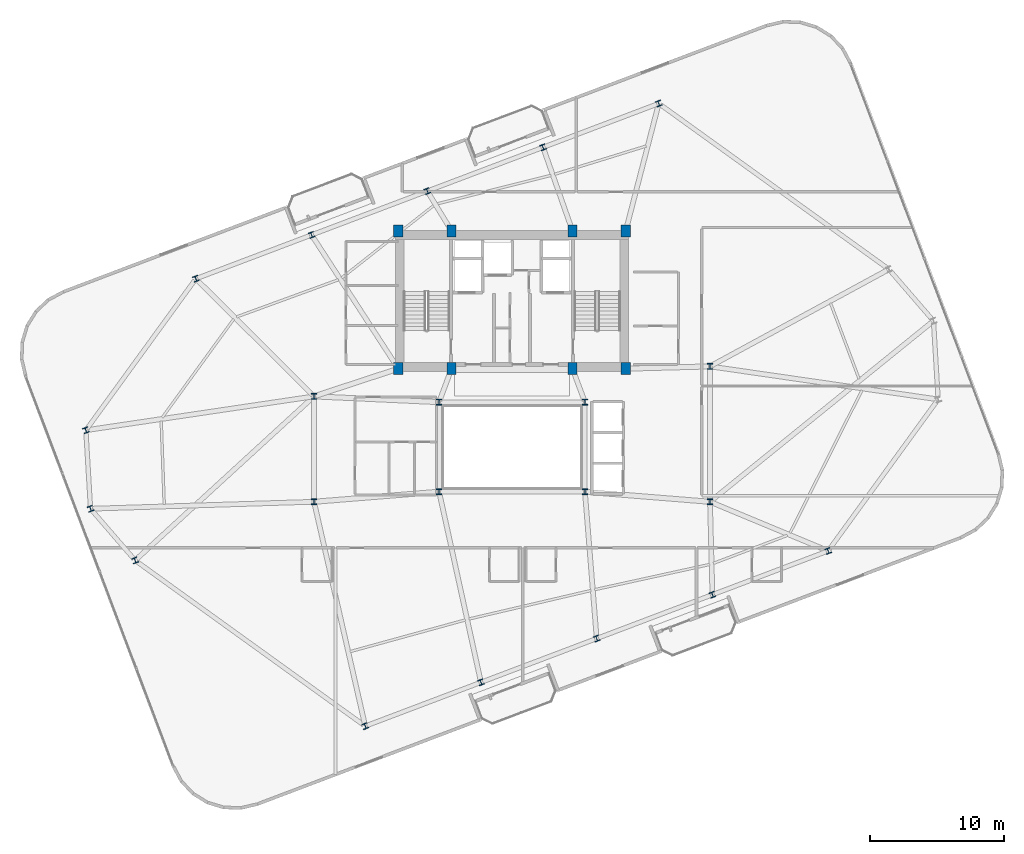
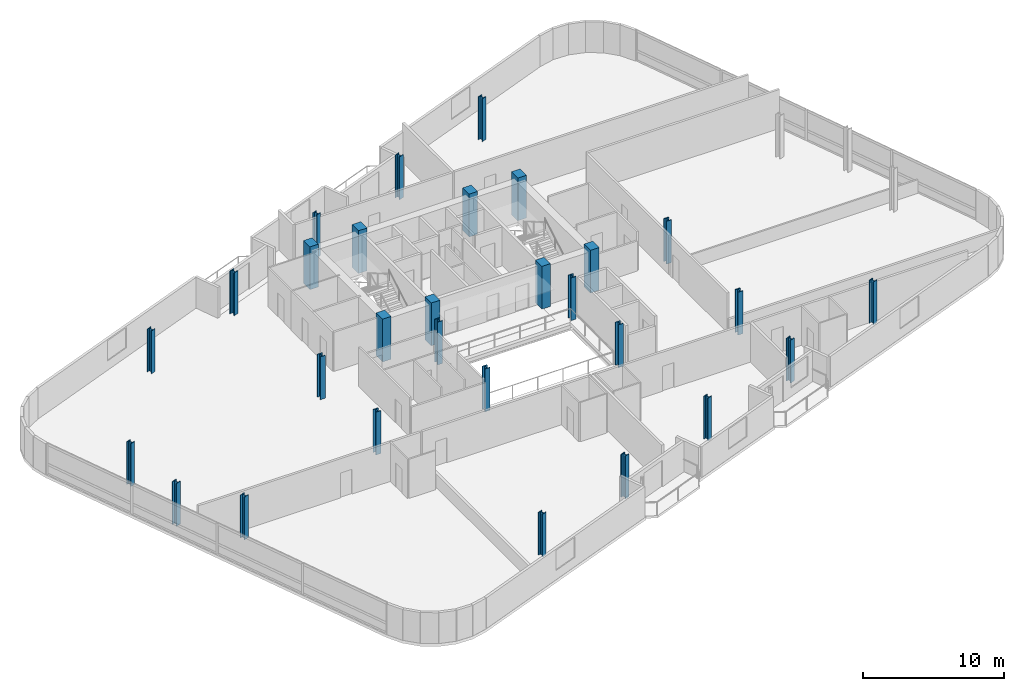
# One storey, part 1 of 19: 29 columns.
"""IFC4 building model written with IfcOpenShell, lengths in metres."""

from ifc_helpers import new_model, si_unit, direction, frame, origin, origin_2d, place, context, subcontext, project, spatial, rectangle, i_section, extrude, material, material_profile, profile_set, type_object, element, save


model = new_model("IFC4")

# Units and contexts
model_context = context("Model", 3, precision=1e-05, world=origin(), true_north=direction((0.0, 1.0)))
body_context = subcontext(model_context, "Body", "Model", "MODEL_VIEW")
ifc_project = project(units=[si_unit("LENGTHUNIT", "METRE"), si_unit("AREAUNIT", "SQUARE_METRE"), si_unit("VOLUMEUNIT", "CUBIC_METRE"), si_unit("PLANEANGLEUNIT", "RADIAN"), si_unit("MASSUNIT", "GRAM", prefix="KILO")], contexts=[model_context])

# Site, building, storey
site_placement = place(None, origin())
site = spatial("IfcSite", under=ifc_project, at=site_placement, CompositionType="ELEMENT")
building_placement = place(site_placement, origin())
building = spatial("IfcBuilding", under=site, at=building_placement, Name="Varnelok Gate Tower", CompositionType="ELEMENT")
storey_placement = place(building_placement, frame((0.0, 0.0, 249.699951171875)))
storey = spatial("IfcBuildingStorey", under=building, at=storey_placement, Name="L64", CompositionType="ELEMENT", Elevation=249.699951171875)

# Columns
ifc_material_1 = material(Name="Concrete C60/75", Category="concrete")
ifc_material_profile_1 = material_profile(ifc_material_1, rectangle(XDim=0.699951171875, YDim=0.89990234375, at=origin_2d()), Name="RC900X700")
ifc_profile_set_1 = profile_set([ifc_material_profile_1], Name="Concrete C60/75")
column_type_1 = type_object("IfcColumnType", Name="COL-RC900X700", PredefinedType="COLUMN", material=ifc_profile_set_1)
for number, where, z_axis, x_axis, name in (
    (1, (30.699951171875, 28.75, 0.0), (0.0, 0.0, 1.0), (1.0, 0.0, 0.0), "L64 Core Spine Column SC1"),
    (2, (34.679931640625, 28.75, 0.0), (0.0, 0.0, 1.0), (1.0, 0.0, 0.0), "L64 Core Spine Column SC2"),
    (3, (43.719970703125, 28.75, 0.0), (0.0, 0.0, 1.0), (1.0, 0.0, 0.0), "L64 Core Spine Column SC3"),
    (4, (47.699951171875, 28.75, 0.0), (0.0, 0.0, 1.0), (1.0, 0.0, 0.0), "L64 Core Spine Column SC4"),
    (5, (30.699951171875, 39.050048828125, 0.0), (0.0, 0.0, 1.0), (1.0, 0.0, 0.0), "L64 Core Spine Column SC5"),
    (6, (34.679931640625, 39.050048828125, 0.0), (0.0, 0.0, 1.0), (1.0, 0.0, 0.0), "L64 Core Spine Column SC6"),
    (7, (43.719970703125, 39.050048828125, 0.0), (0.0, 0.0, 1.0), (1.0, 0.0, 0.0), "L64 Core Spine Column SC7"),
    (8, (47.699951171875, 39.050048828125, 0.0), (0.0, 0.0, 1.0), (1.0, 0.0, 0.0), "L64 Core Spine Column SC8"),
):
    element("IfcColumn", number, at=place(storey_placement, frame(where, z_axis=z_axis, x_axis=x_axis)), inside=storey, type_object=column_type_1, Name=name, PredefinedType="COLUMN", context=body_context, shape_type="SweptSolid", body=[
        extrude(rectangle(XDim=0.699951171875, YDim=0.89990234375, at=origin_2d()), origin(), (0.0, 0.0, 1.0), 3.699951171875),
    ])
ifc_material_2 = material(Name="Structural Steel ASTM A992 Grade 50", Category="steel")
ifc_material_profile_2 = material_profile(ifc_material_2, i_section(OverallWidth=0.406005859375, OverallDepth=0.416015625, WebThickness=0.02978515625, FlangeThickness=0.048095703125, FilletRadius=0.02490234375, at=origin_2d()), Name="W14X257")
ifc_profile_set_2 = profile_set([ifc_material_profile_2], Name="Structural Steel ASTM A992 Grade 50")
column_type_2 = type_object("IfcColumnType", Name="COL-W14X257", PredefinedType="COLUMN", material=ifc_profile_set_2)
for number, where, z_axis, x_axis, name in (
    (9, (28.22900390625, 2.028076171875, 0.0), (0.0, 0.0, 1.0), (0.935221751401, 0.354062530786, 0.0), "L64 B5 Perimeter Column PC01"),
    (10, (36.8798828125, 5.30322265625, 0.0), (0.0, 0.0, 1.0), (0.935221751401, 0.354062530786, 0.0), "L64 B5 Perimeter Column PC02"),
    (11, (45.530517578125, 8.578125, 0.0), (0.0, 0.0, 1.0), (0.935221751401, 0.354062530786, 0.0), "L64 B5 Perimeter Column PC03"),
    (12, (54.181396484375, 11.853271484375, 0.0), (0.0, 0.0, 1.0), (0.935221751401, 0.354062530786, 0.0), "L64 B5 Perimeter Column PC04"),
    (13, (62.832275390625, 15.12841796875, 0.0), (0.0, 0.0, 1.0), (0.935221751401, 0.354062530786, 0.0), "L64 B5 Perimeter Column PC05"),
    (14, (50.1708984375, 48.572021484375, 0.0), (0.0, 0.0, 1.0), (0.935221751401, 0.354062530786, 0.0), "L64 B5 Perimeter Column PC09"),
    (15, (41.520263671875, 45.296875, 0.0), (0.0, 0.0, 1.0), (0.935221751401, 0.354062530786, 0.0), "L64 B5 Perimeter Column PC10"),
    (16, (32.869384765625, 42.021728515625, 0.0), (0.0, 0.0, 1.0), (0.935221751401, 0.354062530786, 0.0), "L64 B5 Perimeter Column PC11"),
    (17, (24.218505859375, 38.74658203125, 0.0), (0.0, 0.0, 1.0), (0.935221751401, 0.354062530786, 0.0), "L64 B5 Perimeter Column PC12"),
    (18, (15.56787109375, 35.4716796875, 0.0), (0.0, 0.0, 1.0), (0.935221751401, 0.354062530786, 0.0), "L64 B5 Perimeter Column PC13"),
    (19, (7.344970703125, 24.146484375, 0.0), (0.0, 0.0, 1.0), (0.935221751401, 0.354062530786, 0.0), "L64 B5 Perimeter Column PC14"),
    (20, (7.694580078125, 18.280517578125, 0.0), (0.0, 0.0, 1.0), (0.935221751401, 0.354062530786, 0.0), "L64 B5 Perimeter Column PC15"),
    (21, (11.027099609375, 14.42041015625, 0.0), (0.0, 0.0, 1.0), (0.935221751401, 0.354062530786, 0.0), "L64 B5 Perimeter Column PC16"),
):
    element("IfcColumn", number, at=place(storey_placement, frame(where, z_axis=z_axis, x_axis=x_axis)), inside=storey, type_object=column_type_2, Name=name, PredefinedType="COLUMN", context=body_context, shape_type="SweptSolid", body=[
        extrude(i_section(OverallWidth=0.406005859375, OverallDepth=0.416015625, WebThickness=0.02978515625, FlangeThickness=0.048095703125, FilletRadius=0.02490234375, at=origin_2d()), origin(), (0.0, 0.0, 1.0), 3.699951171875),
    ])
ifc_material_profile_3 = material_profile(ifc_material_2, i_section(OverallWidth=0.412109375, OverallDepth=0.43505859375, WebThickness=0.035888671875, FlangeThickness=0.057373046875, FilletRadius=0.02490234375, at=origin_2d()), Name="W14X311")
ifc_profile_set_3 = profile_set([ifc_material_profile_3], Name="Structural Steel ASTM A992 Grade 50")
column_type_3 = type_object("IfcColumnType", Name="COL-W14X311", PredefinedType="COLUMN", material=ifc_profile_set_3)
for number, where, z_axis, x_axis, name in (
    (22, (33.75, 19.550048828125, 0.0), (0.0, 0.0, 1.0), (1.0, 0.0, 0.0), "L64 Atrium Spine Column AC1"),
    (23, (44.64990234375, 19.550048828125, 0.0), (0.0, 0.0, 1.0), (1.0, 0.0, 0.0), "L64 Atrium Spine Column AC2"),
    (24, (33.75, 26.25, 0.0), (0.0, 0.0, 1.0), (1.0, 0.0, 0.0), "L64 Atrium Spine Column AC3"),
    (25, (44.64990234375, 26.25, 0.0), (0.0, 0.0, 1.0), (1.0, 0.0, 0.0), "L64 Atrium Spine Column AC4"),
    (26, (24.39990234375, 18.800048828125, 0.0), (0.0, 0.0, 1.0), (1.0, 0.0, 0.0), "L64 Wing Spine Column WS1"),
    (27, (24.39990234375, 26.679931640625, 0.0), (0.0, 0.0, 1.0), (1.0, 0.0, 0.0), "L64 Wing Spine Column WS2"),
    (28, (54.0, 18.800048828125, 0.0), (0.0, 0.0, 1.0), (1.0, 0.0, 0.0), "L64 Wing Spine Column ES1"),
    (29, (54.0, 28.919921875, 0.0), (0.0, 0.0, 1.0), (1.0, 0.0, 0.0), "L64 Wing Spine Column ES2"),
):
    element("IfcColumn", number, at=place(storey_placement, frame(where, z_axis=z_axis, x_axis=x_axis)), inside=storey, type_object=column_type_3, Name=name, PredefinedType="COLUMN", context=body_context, shape_type="SweptSolid", body=[
        extrude(i_section(OverallWidth=0.412109375, OverallDepth=0.43505859375, WebThickness=0.035888671875, FlangeThickness=0.057373046875, FilletRadius=0.02490234375, at=origin_2d()), origin(), (0.0, 0.0, 1.0), 3.699951171875),
    ])

save(model, "model.ifc")
